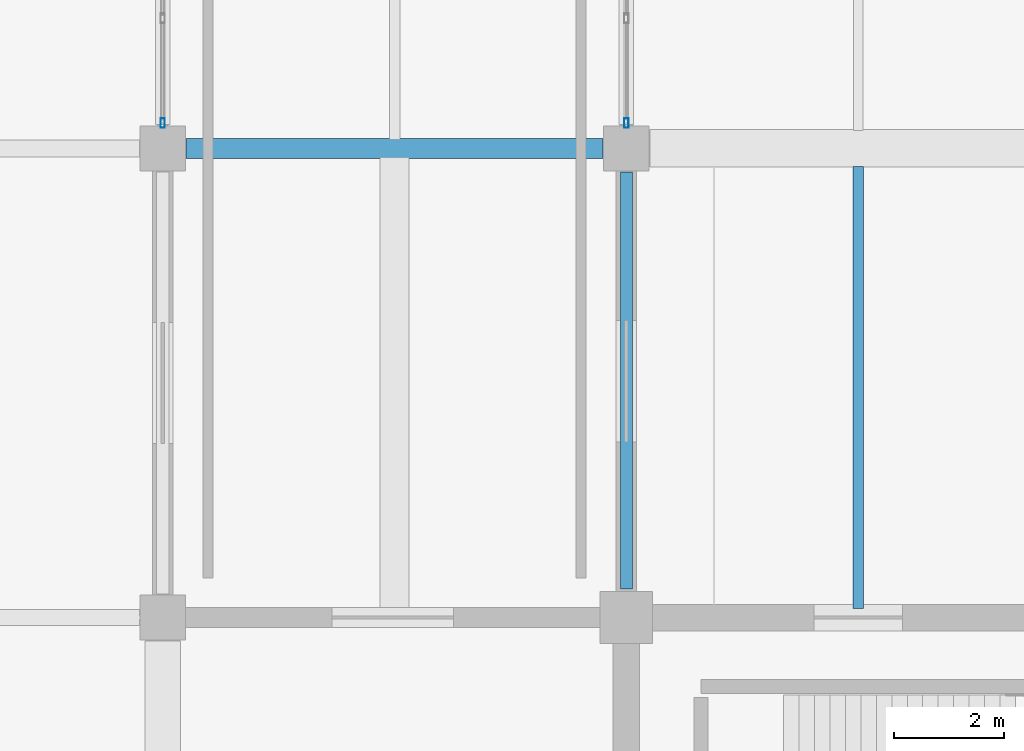
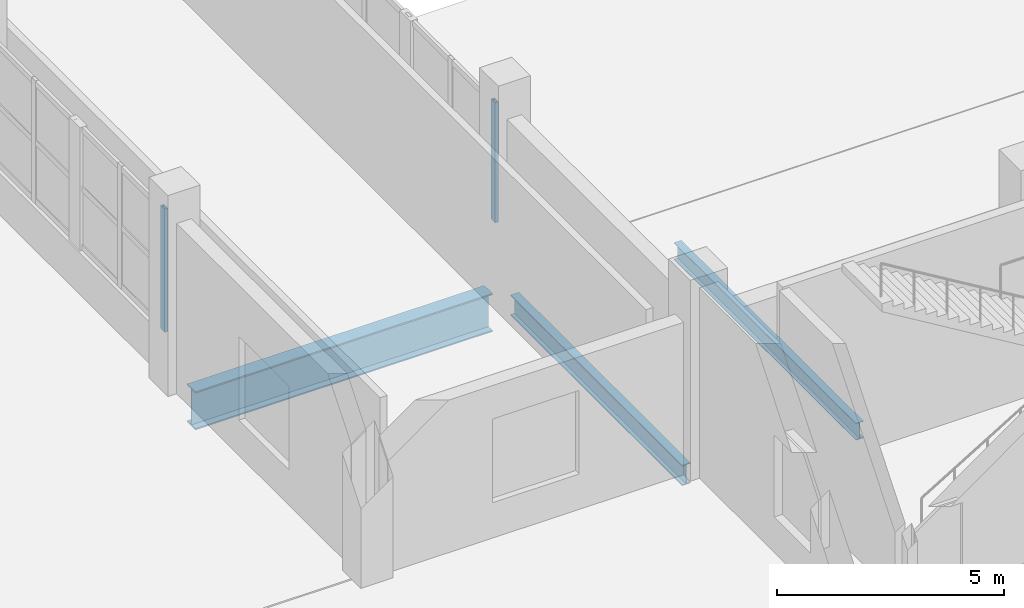
# One storey, part 36 of 107: 3 beams, 2 members, 2 elements without a shape of their own.
"""IFC4 building model written with IfcOpenShell, lengths in metres."""

from ifc_helpers import new_model, si_unit, direction, frame, origin, origin_2d, place, context, subcontext, project, spatial, hollow_rectangle, i_section, extrude, material, material_profile, profile_set, type_object, element, aggregate, save


model = new_model("IFC4")

# Units and contexts
model_context = context("Model", 3, precision=1e-05, world=origin(), true_north=direction((0.0, 1.0)))
body_context = subcontext(model_context, "Body", "Model", "MODEL_VIEW")
ifc_project = project(units=[si_unit("LENGTHUNIT", "METRE"), si_unit("AREAUNIT", "SQUARE_METRE"), si_unit("VOLUMEUNIT", "CUBIC_METRE"), si_unit("PLANEANGLEUNIT", "RADIAN"), si_unit("MASSUNIT", "GRAM", prefix="KILO")], contexts=[model_context])

# Site, building, storey
site_placement = place(None, origin())
site = spatial("IfcSite", under=ifc_project, at=site_placement, CompositionType="ELEMENT")
building_placement = place(site_placement, origin())
building = spatial("IfcBuilding", under=site, at=building_placement, Name="Solvento Point Concert Hall", CompositionType="ELEMENT")
storey_placement = place(building_placement, origin())
storey = spatial("IfcBuildingStorey", under=building, at=storey_placement, Name="L00", CompositionType="ELEMENT", Elevation=0.0)

# Beams
ifc_material_1 = material(Name="Structural Steel ASTM A992 Grade 50", Category="steel")
ifc_material_profile_1 = material_profile(ifc_material_1, i_section(OverallWidth=0.214111328125, OverallDepth=0.549072265625, WebThickness=0.0146484375, FlangeThickness=0.023681640625, at=origin_2d()), Name="W21X93")
ifc_profile_set_1 = profile_set([ifc_material_profile_1], Name="Structural Steel ASTM A992 Grade 50")
beam_type_1 = type_object("IfcBeamType", Name="Beam_W21X93", PredefinedType="BEAM", material=ifc_profile_set_1)
beam_1_placement = place(storey_placement, frame((74.39990234375, 94.01904296875, -0.57861328125), z_axis=(0.0, 1.0, 0.0), x_axis=(-1.0, 0.0, 0.0)))
element("IfcBeam", 1, at=beam_1_placement, inside=storey, type_object=beam_type_1, Name="Primary girder B-48 L00", PredefinedType="BEAM", context=body_context, shape_type="SweptSolid", body=[
    extrude(i_section(OverallWidth=0.214111328125, OverallDepth=0.549072265625, WebThickness=0.0146484375, FlangeThickness=0.023681640625, at=origin_2d()), origin(), (0.0, 0.0, 1.0), 7.556884765625),
])
ifc_material_2 = material(Name="Structural Steel ASTM A992 Grade 50", Category="steel")
ifc_material_profile_2 = material_profile(ifc_material_2, i_section(OverallWidth=0.361083984375, OverallDepth=1.02587890625, WebThickness=0.01904296875, FlangeThickness=0.0361328125, at=origin_2d()), Name="W40X249")
ifc_profile_set_2 = profile_set([ifc_material_profile_2], Name="Structural Steel ASTM A992 Grade 50")
beam_type_2 = type_object("IfcBeamType", Name="Girder_W40X249", PredefinedType="USERDEFINED", material=ifc_profile_set_2)
beam_2_placement = place(storey_placement, frame((66.424072265625, 102.0, -0.81689453125), z_axis=(1.0, 0.0, 0.0), x_axis=(0.0, 1.0, 0.0)))
element("IfcBeam", 2, at=beam_2_placement, inside=storey, type_object=beam_type_2, Name="Primary girder B-29 L00", ObjectType="GIRDER", PredefinedType="USERDEFINED", context=body_context, shape_type="SweptSolid", body=[
    extrude(i_section(OverallWidth=0.361083984375, OverallDepth=1.02587890625, WebThickness=0.01904296875, FlangeThickness=0.0361328125, at=origin_2d()), origin(), (0.0, 0.0, 1.0), 7.552001953125),
])
ifc_material_3 = material(Name="Structural Steel ASTM A992 Grade 50", Category="steel")
ifc_material_profile_3 = material_profile(ifc_material_3, i_section(OverallWidth=0.1904296875, OverallDepth=0.45703125, WebThickness=0.009033203125, FlangeThickness=0.014404296875, at=origin_2d()), Name="W18X50")
ifc_profile_set_3 = profile_set([ifc_material_profile_3], Name="Structural Steel ASTM A992 Grade 50")
beam_type_3 = type_object("IfcBeamType", Name="Joist_W18X50", PredefinedType="JOIST", material=ifc_profile_set_3)
beam_3_placement = place(storey_placement, frame((78.60009765625, 93.66552734375, -0.66259765625), z_axis=(0.0, 1.0, 0.0), x_axis=(-1.0, 0.0, 0.0)))
element("IfcBeam", 3, at=beam_3_placement, inside=storey, type_object=beam_type_3, Name="Secondary floor joist B-66 L00", PredefinedType="JOIST", context=body_context, shape_type="SweptSolid", body=[
    extrude(i_section(OverallWidth=0.1904296875, OverallDepth=0.45703125, WebThickness=0.009033203125, FlangeThickness=0.014404296875, at=origin_2d()), origin(), (0.0, 0.0, 1.0), 8.009521484375),
])

# Curtain wall, member
ifc_material_4 = material(Name="Anodized Bronze Aluminium", Category="aluminium")
curtain_wall_type = type_object("IfcCurtainWallType", Name="CurtainWall_CourtPilotis", PredefinedType="USERDEFINED", material=ifc_material_4)
curtain_wall_1_placement = place(storey_placement, origin())
curtain_wall_1 = element("IfcCurtainWall", 4, at=curtain_wall_1_placement, inside=storey, type_object=curtain_wall_type, Name="Unitised curtain wall CW-96 UCW-L00-020", ObjectType="UNITISED CURTAIN WALL", PredefinedType="USERDEFINED")
ifc_material_5 = material(Name="Anodized Bronze Aluminium", Category="aluminium")
ifc_material_profile_4 = material_profile(ifc_material_5, hollow_rectangle(XDim=0.080078125, YDim=0.179931640625, WallThickness=0.00390625, at=origin_2d()), Name="CW-MUL-80X180")
ifc_profile_set_4 = profile_set([ifc_material_profile_4], Name="Anodized Bronze Aluminium")
member_type = type_object("IfcMemberType", Name="Mullion_80x180", PredefinedType="MULLION", material=ifc_profile_set_4)
member_1_placement = place(storey_placement, frame((66.0, 102.4599609375, 1.1201171875), z_axis=(0.0, 0.0, 1.0), x_axis=(1.0, 0.0, 0.0)))
member_1 = element("IfcMember", 5, at=member_1_placement, type_object=member_type, Name="Curtain wall mullion ML-01", PredefinedType="MULLION", context=body_context, shape_type="SweptSolid", body=[
    extrude(hollow_rectangle(XDim=0.080078125, YDim=0.179931640625, WallThickness=0.00390625, at=origin_2d()), origin(), (0.0, 0.0, 1.0), 3.310791015625),
])
aggregate(curtain_wall_1, [member_1])

curtain_wall_2_placement = place(storey_placement, origin())
curtain_wall_2 = element("IfcCurtainWall", 6, at=curtain_wall_2_placement, inside=storey, type_object=curtain_wall_type, Name="Unitised curtain wall CW-96 UCW-L00-034", ObjectType="UNITISED CURTAIN WALL", PredefinedType="USERDEFINED")
member_2_placement = place(storey_placement, frame((74.39990234375, 102.4599609375, 1.1201171875), z_axis=(0.0, 0.0, 1.0), x_axis=(1.0, 0.0, 0.0)))
member_2 = element("IfcMember", 7, at=member_2_placement, type_object=member_type, Name="Curtain wall mullion ML-01", PredefinedType="MULLION", context=body_context, shape_type="SweptSolid", body=[
    extrude(hollow_rectangle(XDim=0.080078125, YDim=0.179931640625, WallThickness=0.00390625, at=origin_2d()), origin(), (0.0, 0.0, 1.0), 3.23388671875),
])
aggregate(curtain_wall_2, [member_2])

save(model, "model.ifc")
